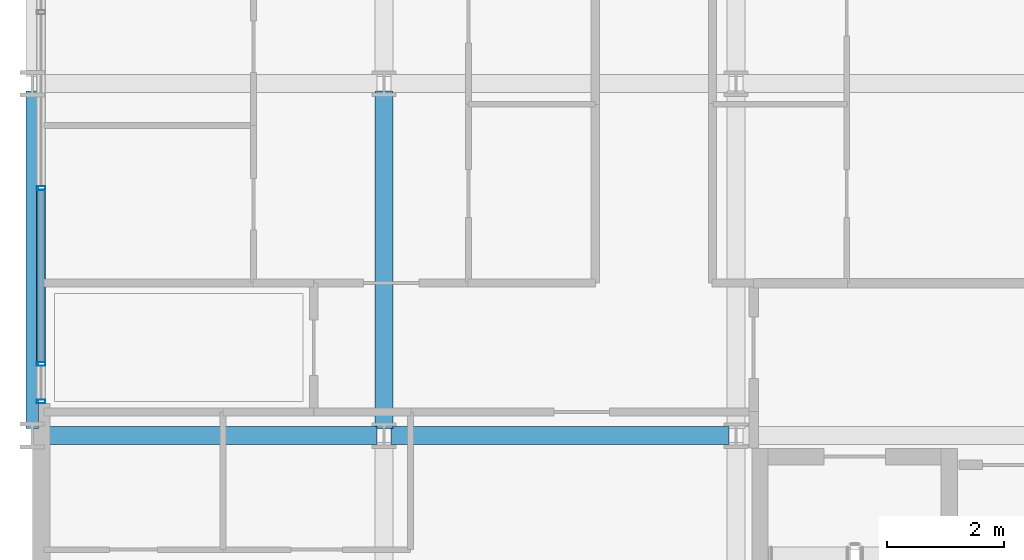
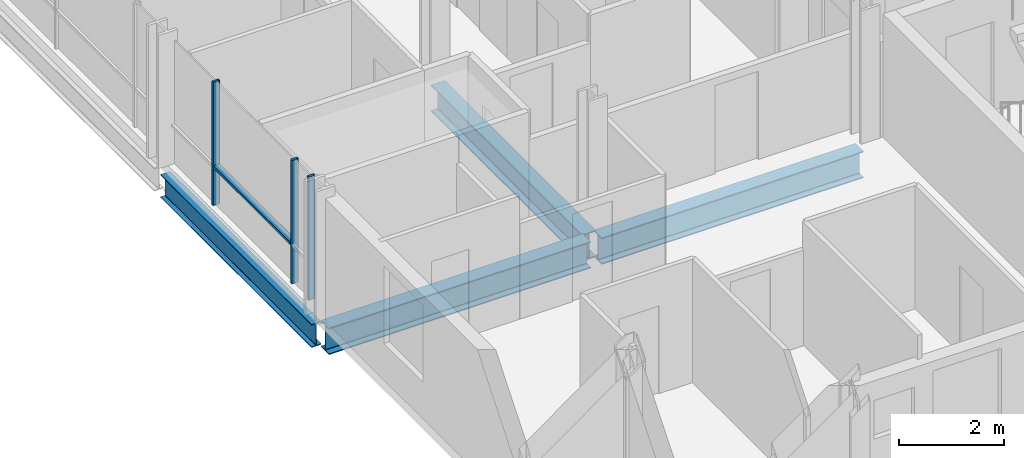
# One storey, part 2 of 41: 4 beams, 4 members, 1 element without a shape of its own.
"""IFC4 building model written with IfcOpenShell, lengths in metres."""

from ifc_helpers import new_model, si_unit, direction, frame, origin, origin_2d, place, context, subcontext, project, spatial, hollow_rectangle, i_section, extrude, material, layer, layer_set, material_profile, profile_set, type_object, element, aggregate, save


model = new_model("IFC4")

# Units and contexts
model_context = context("Model", 3, precision=1e-05, world=origin(), true_north=direction((0.0, 1.0)))
body_context = subcontext(model_context, "Body", "Model", "MODEL_VIEW")
ifc_project = project(units=[si_unit("LENGTHUNIT", "METRE"), si_unit("AREAUNIT", "SQUARE_METRE"), si_unit("VOLUMEUNIT", "CUBIC_METRE"), si_unit("PLANEANGLEUNIT", "RADIAN"), si_unit("MASSUNIT", "GRAM", prefix="KILO")], contexts=[model_context])

# Site, building, storey
site_placement = place(None, origin())
site = spatial("IfcSite", under=ifc_project, at=site_placement, CompositionType="ELEMENT")
building_placement = place(site_placement, origin())
building = spatial("IfcBuilding", under=site, at=building_placement, Name="Brevholm Reach", CompositionType="ELEMENT")
storey_placement = place(building_placement, frame((0.0, 0.0, 74.5)))
storey = spatial("IfcBuildingStorey", under=building, at=storey_placement, Name="L21", CompositionType="ELEMENT", Elevation=74.5)

# Beams
ifc_material_1 = material(Name="Structural Steel S355J2", Category="steel")
ifc_material_profile_1 = material_profile(ifc_material_1, i_section(OverallWidth=0.210693359375, OverallDepth=0.53955078125, WebThickness=0.01171875, FlangeThickness=0.018798828125, FilletRadius=0.0126953125, at=origin_2d()), Name="UKB 533x210x109")
ifc_profile_set_1 = profile_set([ifc_material_profile_1], Name="Structural Steel S355J2")
beam_type_1 = type_object("IfcBeamType", Name="BM-SP539", PredefinedType="SPANDREL", material=ifc_profile_set_1)
beam_placement = place(storey_placement, frame((0.0, 10.1201171875, -0.499755859375), z_axis=(0.0, 1.0, 0.0), x_axis=(-1.0, 0.0, 0.0)))
element("IfcBeam", 1, at=beam_placement, inside=storey, type_object=beam_type_1, Name="L21 SP-01B Framing Beam", PredefinedType="SPANDREL", context=body_context, shape_type="SweptSolid", body=[
    extrude(i_section(OverallWidth=0.210693359375, OverallDepth=0.53955078125, WebThickness=0.01171875, FlangeThickness=0.018798828125, FilletRadius=0.0126953125, at=origin_2d()), origin(), (0.0, 0.0, 1.0), 5.759765625),
])
ifc_material_2 = material(Name="Structural Steel S355J2", Category="steel")
ifc_material_profile_2 = material_profile(ifc_material_2, i_section(OverallWidth=0.30712890625, OverallDepth=0.6201171875, WebThickness=0.01416015625, FlangeThickness=0.023681640625, FilletRadius=0.0166015625, at=origin_2d()), Name="UKB 610x305x179")
ifc_profile_set_2 = profile_set([ifc_material_profile_2], Name="Structural Steel S355J2")
beam_type_2 = type_object("IfcBeamType", Name="BM-UKB610H", PredefinedType="USERDEFINED", material=ifc_profile_set_2)
for number, where, z_axis, x_axis, name in (
    (2, (0.1201171875, 10.0, -0.5400390625), (1.0, 0.0, 0.0), (0.0, 1.0, 0.0), "L21 G-06 Framing Beam"),
    (3, (6.1201171875, 10.0, -0.5400390625), (1.0, 0.0, 0.0), (0.0, 1.0, 0.0), "L21 G-06 Framing Beam"),
    (4, (6.0, 10.1201171875, -0.5400390625), (0.0, 1.0, 0.0), (-1.0, 0.0, 0.0), "L21 G-06 Framing Beam"),
):
    element("IfcBeam", number, at=place(storey_placement, frame(where, z_axis=z_axis, x_axis=x_axis)), inside=storey, type_object=beam_type_2, Name=name, ObjectType="GIRDER", PredefinedType="USERDEFINED", context=body_context, shape_type="SweptSolid", body=[
        extrude(i_section(OverallWidth=0.30712890625, OverallDepth=0.6201171875, WebThickness=0.01416015625, FlangeThickness=0.023681640625, FilletRadius=0.0166015625, at=origin_2d()), origin(), (0.0, 0.0, 1.0), 5.759765625),
    ])

# Curtain wall, members
ifc_material_3 = material(Name="Dark Anodised Aluminium 6063-T6 and Solar-Control Glass", Category="aluminium")
ifc_layer = layer(ifc_material_3, 0.14990234375)
ifc_layer_set = layer_set([ifc_layer], Name="Dark Anodised Aluminium 6063-T6 and Solar-Control Glass")
curtain_wall_type = type_object("IfcCurtainWallType", Name="CW-01", PredefinedType="NOTDEFINED", material=ifc_layer_set)
curtain_wall_placement = place(storey_placement, origin())
curtain_wall = element("IfcCurtainWall", 5, at=curtain_wall_placement, inside=storey, type_object=curtain_wall_type, Name="L21 Curtain Wall CW-01", PredefinedType="NOTDEFINED")
ifc_material_4 = material(Name="Dark Anodised Aluminium 6063-T6", Category="aluminium")
ifc_material_profile_3 = material_profile(ifc_material_4, hollow_rectangle(XDim=0.06494140625, YDim=0.14990234375, WallThickness=0.0048828125, InnerFilletRadius=0.0048828125, OuterFilletRadius=0.010009765625, at=origin_2d()), Name="RHS 150x65x5")
ifc_profile_set_3 = profile_set([ifc_material_profile_3], Name="Dark Anodised Aluminium 6063-T6")
member_type_1 = type_object("IfcMemberType", Name="CWM-150", PredefinedType="MULLION", material=ifc_profile_set_3)
member_1_placement = place(storey_placement, frame((0.14990234375, 14.219970703125, 0.0), z_axis=(0.0, 0.0, 1.0), x_axis=(0.0, -1.0, 0.0)))
member_1 = element("IfcMember", 6, at=member_1_placement, type_object=member_type_1, Name="CM-150 Mullion 4", PredefinedType="MULLION", context=body_context, shape_type="SweptSolid", body=[
    extrude(hollow_rectangle(XDim=0.06494140625, YDim=0.14990234375, WallThickness=0.0048828125, InnerFilletRadius=0.0048828125, OuterFilletRadius=0.010009765625, at=origin_2d()), origin(), (0.0, 0.0, 1.0), 2.8701171875),
])
member_2_placement = place(storey_placement, frame((0.14990234375, 11.219970703125, 0.0), z_axis=(0.0, 0.0, 1.0), x_axis=(0.0, -1.0, 0.0)))
member_2 = element("IfcMember", 7, at=member_2_placement, type_object=member_type_1, Name="CM-150 Mullion 5", PredefinedType="MULLION", context=body_context, shape_type="SweptSolid", body=[
    extrude(hollow_rectangle(XDim=0.06494140625, YDim=0.14990234375, WallThickness=0.0048828125, InnerFilletRadius=0.0048828125, OuterFilletRadius=0.010009765625, at=origin_2d()), origin(), (0.0, 0.0, 1.0), 2.8701171875),
])
member_3_placement = place(storey_placement, frame((0.14990234375, 10.58251953125, 0.0), z_axis=(0.0, 0.0, 1.0), x_axis=(0.0, -1.0, 0.0)))
member_3 = element("IfcMember", 8, at=member_3_placement, type_object=member_type_1, Name="CM-150 Mullion 6", PredefinedType="MULLION", context=body_context, shape_type="SweptSolid", body=[
    extrude(hollow_rectangle(XDim=0.06494140625, YDim=0.14990234375, WallThickness=0.0048828125, InnerFilletRadius=0.0048828125, OuterFilletRadius=0.010009765625, at=origin_2d()), origin(), (0.0, 0.0, 1.0), 2.8701171875),
])
ifc_material_5 = material(Name="Dark Anodised Aluminium 6063-T6", Category="aluminium")
ifc_material_profile_4 = material_profile(ifc_material_5, hollow_rectangle(XDim=0.06494140625, YDim=0.14990234375, WallThickness=0.0048828125, InnerFilletRadius=0.0048828125, OuterFilletRadius=0.010009765625, at=origin_2d()), Name="RHS 150x65x5")
ifc_profile_set_4 = profile_set([ifc_material_profile_4], Name="Dark Anodised Aluminium 6063-T6")
member_type_2 = type_object("IfcMemberType", Name="CWT-150", PredefinedType="NOTDEFINED", material=ifc_profile_set_4)
member_4_placement = place(storey_placement, frame((0.14990234375, 14.1875, 0.89990234375), z_axis=(0.0, -1.0, 0.0), x_axis=(0.0, 0.0, 1.0)))
member_4 = element("IfcMember", 9, at=member_4_placement, type_object=member_type_2, Name="CT-150 Transom 4.1", ObjectType="TRANSOM", PredefinedType="USERDEFINED", context=body_context, shape_type="SweptSolid", body=[
    extrude(hollow_rectangle(XDim=0.06494140625, YDim=0.14990234375, WallThickness=0.0048828125, InnerFilletRadius=0.0048828125, OuterFilletRadius=0.010009765625, at=origin_2d()), origin(), (0.0, 0.0, 1.0), 2.93505859375),
])
aggregate(curtain_wall, [member_1, member_2, member_3, member_4])

save(model, "model.ifc")
